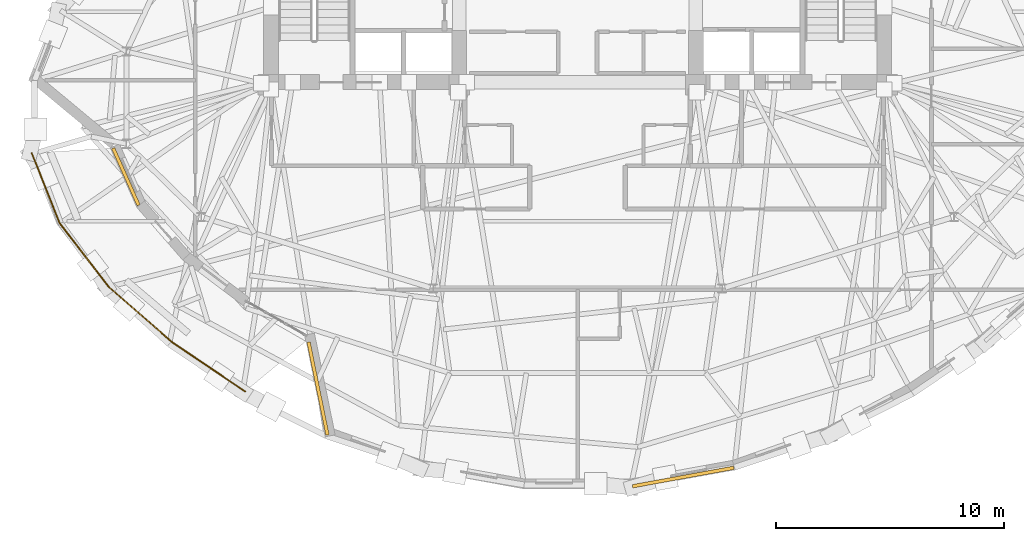
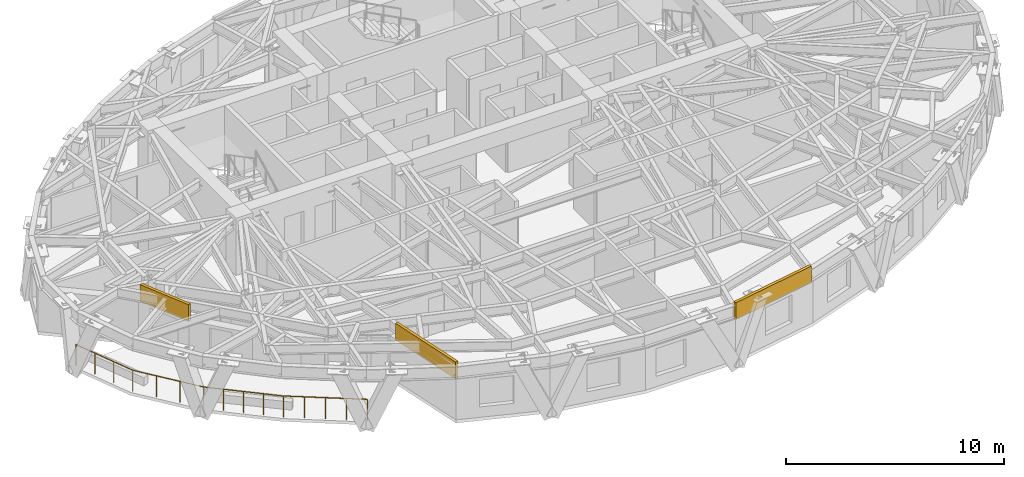
# One storey, part 12 of 15: 3 coverings, 1 railing.
"""IFC4 building model written with IfcOpenShell, lengths in metres."""

import ifcopenshell
import ifcopenshell.guid

model = None  # the IFC model being written
_history = None  # IfcOwnerHistory: only IFC2X3 demands one
_inside = {}  # id of a spatial element -> (the spatial element, [elements in it])
_under = {}  # id of a project, library or spatial element -> (it, [spatial elements below it])
_declared = {}  # id of a project -> (the project, [libraries it declares])
_typed = {}  # id of a type object -> (the type object, [elements of that type])
_made_of = {}  # id of a material, layer set ... -> (it, [elements and type objects made of it])


def new_model(schema):
    """Start an empty IFC model of exactly this schema.

    Asked for "IFC4X3", IfcOpenShell would pick the latest addendum, in which some entities
    have other attributes; the version numbers below select the first issue.
    IFC2X3 requires an IfcOwnerHistory on every rooted entity: one is made here for all.
    """
    global model, _history
    if schema == "IFC4X3":
        model = ifcopenshell.file(schema_version=(4, 3, 0, 0))
    else:
        model = ifcopenshell.file(schema=schema)
    _inside.clear()
    _under.clear()
    _declared.clear()
    _typed.clear()
    _made_of.clear()
    _history = None
    if model.schema == "IFC2X3":
        org = make("IfcOrganization", Name="unknown")
        user = make(
            "IfcPersonAndOrganization",
            ThePerson=make("IfcPerson", FamilyName="unknown"),
            TheOrganization=org,
        )
        app = make(
            "IfcApplication",
            ApplicationDeveloper=org,
            Version="unknown",
            ApplicationFullName="unknown",
            ApplicationIdentifier="unknown",
        )
        _history = make(
            "IfcOwnerHistory",
            OwningUser=user,
            OwningApplication=app,
            ChangeAction="ADDED",
            CreationDate=0,
        )
    return model


def make(cls, **values):
    """One entity of the class cls with the attributes given. An attribute that is None is left unset."""
    return model.create_entity(
        cls, **{name: value for name, value in values.items() if value is not None}
    )


def rooted(cls, **values):
    """An entity with a GlobalId (a new one), such as an element, a storey or a relation."""
    return make(cls, GlobalId=ifcopenshell.guid.new(), OwnerHistory=_history, **values)


def si_unit(unit_type, name, prefix=None):
    """IfcSIUnit, for example si_unit("LENGTHUNIT", "METRE", prefix="MILLI")."""
    return make("IfcSIUnit", UnitType=unit_type, Prefix=prefix, Name=name)


def assignment(units):
    """IfcUnitAssignment: the units of a project."""
    return None if units is None else make("IfcUnitAssignment", Units=units)


def point(xyz):
    """IfcCartesianPoint."""
    return None if xyz is None else make("IfcCartesianPoint", Coordinates=xyz)


def direction(xyz):
    """IfcDirection."""
    return None if xyz is None else make("IfcDirection", DirectionRatios=xyz)


def frame(location, z_axis=None, x_axis=None):
    """IfcAxis2Placement3D, a coordinate frame: its origin and axes. An axis left out is left unset."""
    return make(
        "IfcAxis2Placement3D",
        Location=point(location),
        Axis=direction(z_axis),
        RefDirection=direction(x_axis),
    )


def frame_2d(location, x_axis=None):
    """IfcAxis2Placement2D, a coordinate frame in the plane: its origin and x axis."""
    return make(
        "IfcAxis2Placement2D", Location=point(location), RefDirection=direction(x_axis)
    )


def origin():
    """The frame at (0, 0, 0) with its axes left unset."""
    return frame((0.0, 0.0, 0.0))


def origin_2d():
    """The frame at (0, 0) in the plane with its x axis left unset."""
    return frame_2d((0.0, 0.0))


def place(relative_to, where):
    """IfcLocalPlacement: puts the frame where relative to a parent placement (None: the world)."""
    return make(
        "IfcLocalPlacement", PlacementRelTo=relative_to, RelativePlacement=where
    )


def context(
    kind, dimensions, precision=None, world=None, true_north=None, identifier=None
):
    """IfcGeometricRepresentationContext, for example the 3D "Model" context."""
    return make(
        "IfcGeometricRepresentationContext",
        ContextIdentifier=identifier,
        ContextType=kind,
        CoordinateSpaceDimension=dimensions,
        Precision=precision,
        WorldCoordinateSystem=world,
        TrueNorth=true_north,
    )


def subcontext(parent, identifier, kind, view, scale=None):
    """IfcGeometricRepresentationSubContext, for example "Body" below "Model"."""
    return make(
        "IfcGeometricRepresentationSubContext",
        ContextIdentifier=identifier,
        ContextType=kind,
        ParentContext=parent,
        TargetScale=scale,
        TargetView=view,
    )


def project(units=None, contexts=None):
    """IfcProject with its units and contexts."""
    return rooted(
        "IfcProject",
        Name="project",
        RepresentationContexts=contexts,
        UnitsInContext=assignment(units),
    )


def spatial(cls, under=None, at=None, **own):
    """A site, building, storey or space (cls), placed at a placement, below another one or the project."""
    s = rooted(cls, ObjectPlacement=at, **own)
    if under is not None:
        _under.setdefault(under.id(), (under, []))[1].append(s)
    return s


def profile(cls, at=None, kind="AREA", **sizes):
    """A parametric profile (cls). Its sizes go by their IFC names, for example OverallWidth=200.0."""
    return make(cls, ProfileType=kind, Position=at, **sizes)


def rectangle(**sizes):
    """IfcRectangleProfileDef."""
    return profile("IfcRectangleProfileDef", **sizes)


def circle(**sizes):
    """IfcCircleProfileDef."""
    return profile("IfcCircleProfileDef", **sizes)


def extrude(swept, where, along, depth):
    """IfcExtrudedAreaSolid: the profile swept, set in the frame where, extruded along a direction by depth."""
    return make(
        "IfcExtrudedAreaSolid",
        SweptArea=swept,
        Position=where,
        ExtrudedDirection=direction(along),
        Depth=depth,
    )


def shape(context_of_items, identifier, shape_type, items):
    """IfcShapeRepresentation: the items that make up one representation, for example the "Body"."""
    return make(
        "IfcShapeRepresentation",
        ContextOfItems=context_of_items,
        RepresentationIdentifier=identifier,
        RepresentationType=shape_type,
        Items=items,
    )


def material(Name=None, Category=None):
    """IfcMaterial."""
    return make("IfcMaterial", Name=Name, Category=Category)


def layer(
    of_material, thickness, ventilated=None, Name=None, Category=None, Priority=None
):
    """IfcMaterialLayer: one layer of a wall or slab, of a material (None: an air gap)."""
    return make(
        "IfcMaterialLayer",
        Material=of_material,
        LayerThickness=thickness,
        IsVentilated=ventilated,
        Name=Name,
        Category=Category,
        Priority=Priority,
    )


def layer_set(layers, Name=None):
    """IfcMaterialLayerSet."""
    return make("IfcMaterialLayerSet", MaterialLayers=layers, LayerSetName=Name)


def made_of(thing, what):
    """Note that an element or type object is made of a material, layer set ...; save() writes the relation."""
    if what is not None:
        _made_of.setdefault(what.id(), (what, []))[1].append(thing)
    return thing


def type_object(cls, material=None, **own):
    """A type object (cls), such as IfcWallType, which elements share."""
    return made_of(rooted(cls, **own), material)


def element(
    cls,
    number,
    at=None,
    inside=None,
    cuts=None,
    type_object=None,
    material=None,
    context=None,
    identifier="Body",
    shape_type=None,
    held_by="IfcProductDefinitionShape",
    body=None,
    shapes=None,
    **own,
):
    """One element of the class cls, such as IfcWall. Its Tag is "e" and its number.

    at: its placement. inside: the storey or other place that contains it. cuts: it is an
    opening in that element (IfcRelVoidsElement). A single representation is given by context,
    identifier, shape_type and body (its items); several are given by shapes. held_by: the class
    of the entity that holds the representations. save() writes the other relations.
    """
    e = rooted(cls, Tag="e%d" % number, ObjectPlacement=at, **own)
    if body is not None:
        shapes = [shape(context, identifier, shape_type, body)]
    if shapes is not None:
        e.Representation = make(held_by, Representations=shapes)
    if inside is not None:
        _inside.setdefault(inside.id(), (inside, []))[1].append(e)
    if cuts is not None:
        rooted(
            "IfcRelVoidsElement", RelatingBuildingElement=cuts, RelatedOpeningElement=e
        )
    if type_object is not None:
        _typed.setdefault(type_object.id(), (type_object, []))[1].append(e)
    return made_of(e, material)


def aggregate(whole, parts):
    """IfcRelAggregates: a whole, such as a stair, and the parts it consists of."""
    return rooted("IfcRelAggregates", RelatingObject=whole, RelatedObjects=parts)


def save(model, path):
    """Write the relations noted so far, then the file.

    IfcRelAggregates (storeys below a building ...), IfcRelContainedInSpatialStructure (elements
    in a storey), IfcRelDefinesByType, IfcRelAssociatesMaterial and IfcRelDeclares: one each for
    every whole, place, type object, material and project.
    """
    for whole, parts in _under.values():
        aggregate(whole, parts)
    for where, things in _inside.values():
        rooted(
            "IfcRelContainedInSpatialStructure",
            RelatedElements=things,
            RelatingStructure=where,
        )
    for kind, things in _typed.values():
        rooted("IfcRelDefinesByType", RelatedObjects=things, RelatingType=kind)
    for what, things in _made_of.values():
        rooted("IfcRelAssociatesMaterial", RelatedObjects=things, RelatingMaterial=what)
    for by, libraries in _declared.values():
        rooted("IfcRelDeclares", RelatingContext=by, RelatedDefinitions=libraries)
    model.write(path)


model = new_model("IFC4")

# Units and contexts
model_context = context("Model", 3, precision=1e-05, world=origin(), true_north=direction((0.0, 1.0)))
body_context = subcontext(model_context, "Body", "Model", "MODEL_VIEW")
ifc_project = project(units=[si_unit("LENGTHUNIT", "METRE"), si_unit("AREAUNIT", "SQUARE_METRE"), si_unit("VOLUMEUNIT", "CUBIC_METRE"), si_unit("PLANEANGLEUNIT", "RADIAN"), si_unit("MASSUNIT", "GRAM", prefix="KILO")], contexts=[model_context])

# Site, building, storey
site_placement = place(None, origin())
site = spatial("IfcSite", under=ifc_project, at=site_placement, CompositionType="ELEMENT")
building_placement = place(site_placement, origin())
building = spatial("IfcBuilding", under=site, at=building_placement, Name="Keldmark Tower", CompositionType="ELEMENT")
storey_placement = place(building_placement, frame((0.0, 0.0, 195.0)))
storey = spatial("IfcBuildingStorey", under=building, at=storey_placement, Name="L54", CompositionType="ELEMENT", Elevation=195.0)

# Railing
ifc_material_1 = material(Name="DuPont SentryGlas Laminated Glass and Stainless Posts", Category="glass")
railing_type = type_object("IfcRailingType", Name="Heated Laminated Glass Wind-Baffle Guard 1200 mm", PredefinedType="GUARDRAIL", material=ifc_material_1)
railing_placement = place(storey_placement, frame((-23.9892578125, -1.601806640625, 0.0)))
element("IfcRailing", 1, at=railing_placement, inside=storey, type_object=railing_type, Name="L54 Terrace Laminated Glass Wind-Baffle Guard TERR 01", PredefinedType="GUARDRAIL", context=body_context, shape_type="SweptSolid", body=[
    extrude(circle(Radius=0.02392578125, at=origin_2d()), frame((0.0, 0.0, 1.17578125), z_axis=(0.37092086124, -0.928664479076, 0.0), x_axis=(0.928664479076, 0.37092086124, 0.0)), (0.0, 0.0, 1.0), 3.3154296875),
    extrude(circle(Radius=0.02392578125, at=origin_2d()), frame((1.229736328125, -3.078857421875, 1.17578125), z_axis=(0.610303893883, -0.792167379479, 0.0), x_axis=(0.792167379479, 0.610303893883, 0.0)), (0.0, 0.0, 1.0), 3.519775390625),
    extrude(circle(Radius=0.02392578125, at=origin_2d()), frame((3.3779296875, -5.8671875, 1.17578125), z_axis=(0.753553122388, -0.657387018231, 0.0), x_axis=(0.657387018231, 0.753553122388, 0.0)), (0.0, 0.0, 1.0), 3.714111328125),
    extrude(circle(Radius=0.02392578125, at=origin_2d()), frame((6.1767578125, -8.308837890625, 1.17578125), z_axis=(0.829081670628, -0.559127519828, 0.0), x_axis=(0.559127519828, 0.829081670628, 0.0)), (0.0, 0.0, 1.0), 3.86181640625),
    extrude(circle(Radius=0.02099609375, at=origin_2d()), origin(), (0.0, 0.0, 1.0), 1.15185546875),
    extrude(circle(Radius=0.02099609375, at=origin_2d()), frame((0.409912109375, -1.0263671875, 0.0)), (0.0, 0.0, 1.0), 1.15185546875),
    extrude(circle(Radius=0.02099609375, at=origin_2d()), frame((0.81982421875, -2.052490234375, 0.0)), (0.0, 0.0, 1.0), 1.15185546875),
    extrude(circle(Radius=0.02099609375, at=origin_2d()), frame((1.229736328125, -3.078857421875, 0.0)), (0.0, 0.0, 1.0), 1.15185546875),
    extrude(circle(Radius=0.02099609375, at=origin_2d()), frame((1.94580078125, -4.00830078125, 0.0)), (0.0, 0.0, 1.0), 1.15185546875),
    extrude(circle(Radius=0.02099609375, at=origin_2d()), frame((2.661865234375, -4.937744140625, 0.0)), (0.0, 0.0, 1.0), 1.15185546875),
    extrude(circle(Radius=0.02099609375, at=origin_2d()), frame((3.3779296875, -5.8671875, 0.0)), (0.0, 0.0, 1.0), 1.15185546875),
    extrude(circle(Radius=0.02099609375, at=origin_2d()), frame((4.07763671875, -6.4775390625, 0.0)), (0.0, 0.0, 1.0), 1.15185546875),
    extrude(circle(Radius=0.02099609375, at=origin_2d()), frame((4.77734375, -7.087890625, 0.0)), (0.0, 0.0, 1.0), 1.15185546875),
    extrude(circle(Radius=0.02099609375, at=origin_2d()), frame((5.47705078125, -7.698486328125, 0.0)), (0.0, 0.0, 1.0), 1.15185546875),
    extrude(circle(Radius=0.02099609375, at=origin_2d()), frame((6.1767578125, -8.308837890625, 0.0)), (0.0, 0.0, 1.0), 1.15185546875),
    extrude(circle(Radius=0.02099609375, at=origin_2d()), frame((6.97705078125, -8.8486328125, 0.0)), (0.0, 0.0, 1.0), 1.15185546875),
    extrude(circle(Radius=0.02099609375, at=origin_2d()), frame((7.777587890625, -9.388427734375, 0.0)), (0.0, 0.0, 1.0), 1.15185546875),
    extrude(circle(Radius=0.02099609375, at=origin_2d()), frame((8.578125, -9.92822265625, 0.0)), (0.0, 0.0, 1.0), 1.15185546875),
    extrude(circle(Radius=0.02099609375, at=origin_2d()), frame((9.37841796875, -10.468017578125, 0.0)), (0.0, 0.0, 1.0), 1.15185546875),
])

# Coverings
ifc_material_2 = material(Name="Honed Kasota Buff Dolomitic Limestone", Category="masonry")
ifc_layer = layer(ifc_material_2, 0.074951171875)
ifc_layer_set = layer_set([ifc_layer], Name="Honed Kasota Buff Dolomitic Limestone")
covering_type = type_object("IfcCoveringType", Name="Kasota Buff Limestone Spandrel Cladding Band", PredefinedType="CLADDING", material=ifc_layer_set)
covering_1_placement = place(storey_placement, frame((-19.85302734375, -2.632568359375, 2.239013671875), z_axis=(0.0, 0.0, 1.0), x_axis=(0.40774089269, -0.913097675185, 0.0)))
element("IfcCovering", 2, at=covering_1_placement, inside=storey, type_object=covering_type, Name="L54 Kasota Limestone Spandrel Band 17", PredefinedType="CLADDING", context=body_context, shape_type="SweptSolid", body=[
    extrude(rectangle(XDim=2.740966796875, YDim=0.14990234375, at=origin_2d()), origin(), (0.0, 0.0, 1.0), 0.94091796875),
])
covering_2_placement = place(storey_placement, frame((-11.407470703125, -11.942626953125, 2.239013671875), z_axis=(0.0, 0.0, 1.0), x_axis=(0.199863893322, -0.979823669926, 0.0)))
element("IfcCovering", 3, at=covering_2_placement, inside=storey, type_object=covering_type, Name="L54 Kasota Limestone Spandrel Band 21", PredefinedType="CLADDING", context=body_context, shape_type="SweptSolid", body=[
    extrude(rectangle(XDim=4.162841796875, YDim=0.14990234375, at=origin_2d()), origin(), (0.0, 0.0, 1.0), 0.94091796875),
])
covering_3_placement = place(storey_placement, frame((4.64111328125, -15.83251953125, 2.239013671875), z_axis=(0.0, 0.0, 1.0), x_axis=(0.983694118433, 0.17984960762, 0.0)))
element("IfcCovering", 4, at=covering_3_placement, inside=storey, type_object=covering_type, Name="L54 Kasota Limestone Spandrel Band 25", PredefinedType="CLADDING", context=body_context, shape_type="SweptSolid", body=[
    extrude(rectangle(XDim=4.52490234375, YDim=0.14990234375, at=origin_2d()), origin(), (0.0, 0.0, 1.0), 0.94091796875),
])

save(model, "model.ifc")
